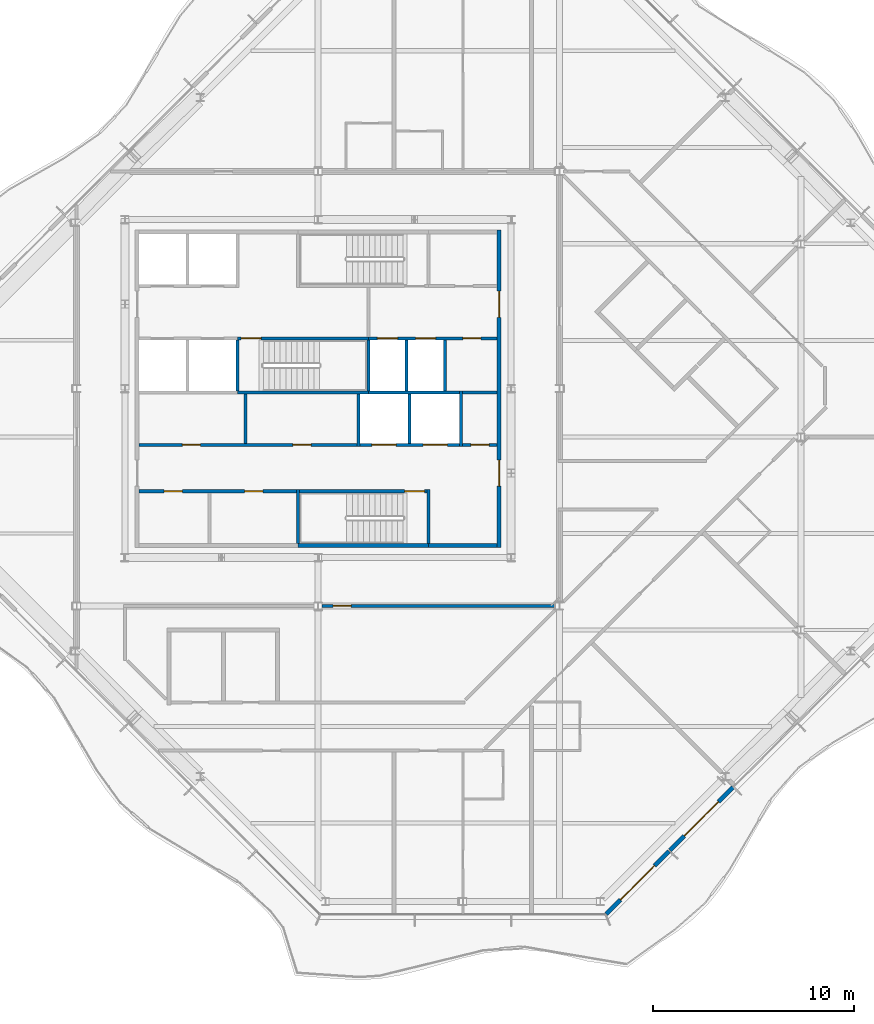
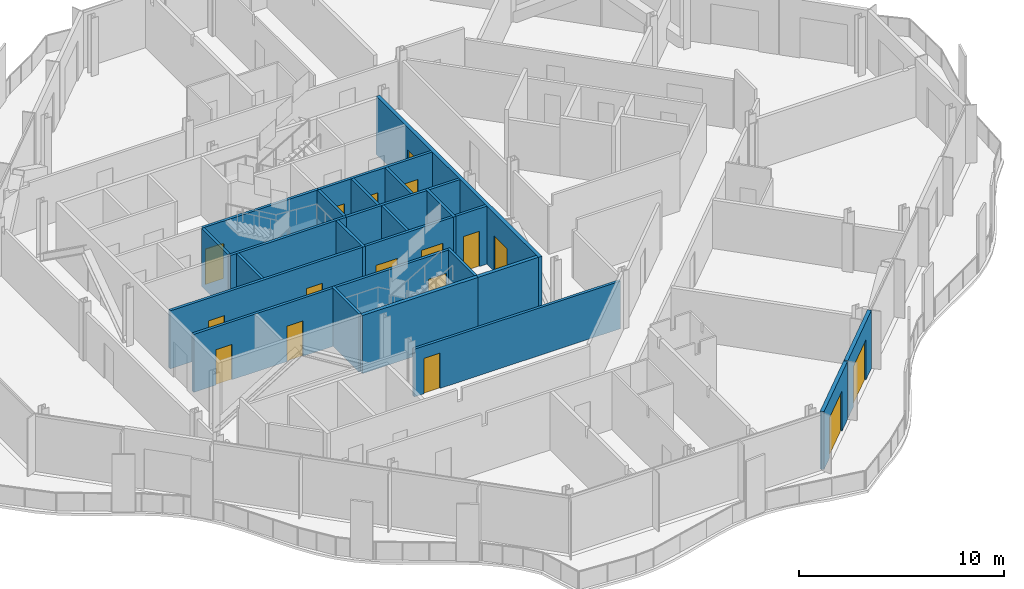
# One storey, part 8 of 16: 26 walls, 17 doors, 17 openings.
"""IFC4 building model written with IfcOpenShell, lengths in metres."""

import ifcopenshell
import ifcopenshell.guid

model = None  # the IFC model being written
_history = None  # IfcOwnerHistory: only IFC2X3 demands one
_inside = {}  # id of a spatial element -> (the spatial element, [elements in it])
_under = {}  # id of a project, library or spatial element -> (it, [spatial elements below it])
_declared = {}  # id of a project -> (the project, [libraries it declares])
_typed = {}  # id of a type object -> (the type object, [elements of that type])
_made_of = {}  # id of a material, layer set ... -> (it, [elements and type objects made of it])


def new_model(schema):
    """Start an empty IFC model of exactly this schema.

    Asked for "IFC4X3", IfcOpenShell would pick the latest addendum, in which some entities
    have other attributes; the version numbers below select the first issue.
    IFC2X3 requires an IfcOwnerHistory on every rooted entity: one is made here for all.
    """
    global model, _history
    if schema == "IFC4X3":
        model = ifcopenshell.file(schema_version=(4, 3, 0, 0))
    else:
        model = ifcopenshell.file(schema=schema)
    _inside.clear()
    _under.clear()
    _declared.clear()
    _typed.clear()
    _made_of.clear()
    _history = None
    if model.schema == "IFC2X3":
        org = make("IfcOrganization", Name="unknown")
        user = make(
            "IfcPersonAndOrganization",
            ThePerson=make("IfcPerson", FamilyName="unknown"),
            TheOrganization=org,
        )
        app = make(
            "IfcApplication",
            ApplicationDeveloper=org,
            Version="unknown",
            ApplicationFullName="unknown",
            ApplicationIdentifier="unknown",
        )
        _history = make(
            "IfcOwnerHistory",
            OwningUser=user,
            OwningApplication=app,
            ChangeAction="ADDED",
            CreationDate=0,
        )
    return model


def make(cls, **values):
    """One entity of the class cls with the attributes given. An attribute that is None is left unset."""
    return model.create_entity(
        cls, **{name: value for name, value in values.items() if value is not None}
    )


def rooted(cls, **values):
    """An entity with a GlobalId (a new one), such as an element, a storey or a relation."""
    return make(cls, GlobalId=ifcopenshell.guid.new(), OwnerHistory=_history, **values)


def si_unit(unit_type, name, prefix=None):
    """IfcSIUnit, for example si_unit("LENGTHUNIT", "METRE", prefix="MILLI")."""
    return make("IfcSIUnit", UnitType=unit_type, Prefix=prefix, Name=name)


def assignment(units):
    """IfcUnitAssignment: the units of a project."""
    return None if units is None else make("IfcUnitAssignment", Units=units)


def point(xyz):
    """IfcCartesianPoint."""
    return None if xyz is None else make("IfcCartesianPoint", Coordinates=xyz)


def direction(xyz):
    """IfcDirection."""
    return None if xyz is None else make("IfcDirection", DirectionRatios=xyz)


def frame(location, z_axis=None, x_axis=None):
    """IfcAxis2Placement3D, a coordinate frame: its origin and axes. An axis left out is left unset."""
    return make(
        "IfcAxis2Placement3D",
        Location=point(location),
        Axis=direction(z_axis),
        RefDirection=direction(x_axis),
    )


def frame_2d(location, x_axis=None):
    """IfcAxis2Placement2D, a coordinate frame in the plane: its origin and x axis."""
    return make(
        "IfcAxis2Placement2D", Location=point(location), RefDirection=direction(x_axis)
    )


def origin():
    """The frame at (0, 0, 0) with its axes left unset."""
    return frame((0.0, 0.0, 0.0))


def place(relative_to, where):
    """IfcLocalPlacement: puts the frame where relative to a parent placement (None: the world)."""
    return make(
        "IfcLocalPlacement", PlacementRelTo=relative_to, RelativePlacement=where
    )


def context(
    kind, dimensions, precision=None, world=None, true_north=None, identifier=None
):
    """IfcGeometricRepresentationContext, for example the 3D "Model" context."""
    return make(
        "IfcGeometricRepresentationContext",
        ContextIdentifier=identifier,
        ContextType=kind,
        CoordinateSpaceDimension=dimensions,
        Precision=precision,
        WorldCoordinateSystem=world,
        TrueNorth=true_north,
    )


def subcontext(parent, identifier, kind, view, scale=None):
    """IfcGeometricRepresentationSubContext, for example "Body" below "Model"."""
    return make(
        "IfcGeometricRepresentationSubContext",
        ContextIdentifier=identifier,
        ContextType=kind,
        ParentContext=parent,
        TargetScale=scale,
        TargetView=view,
    )


def project(units=None, contexts=None):
    """IfcProject with its units and contexts."""
    return rooted(
        "IfcProject",
        Name="project",
        RepresentationContexts=contexts,
        UnitsInContext=assignment(units),
    )


def spatial(cls, under=None, at=None, **own):
    """A site, building, storey or space (cls), placed at a placement, below another one or the project."""
    s = rooted(cls, ObjectPlacement=at, **own)
    if under is not None:
        _under.setdefault(under.id(), (under, []))[1].append(s)
    return s


def profile(cls, at=None, kind="AREA", **sizes):
    """A parametric profile (cls). Its sizes go by their IFC names, for example OverallWidth=200.0."""
    return make(cls, ProfileType=kind, Position=at, **sizes)


def rectangle(**sizes):
    """IfcRectangleProfileDef."""
    return profile("IfcRectangleProfileDef", **sizes)


def extrude(swept, where, along, depth):
    """IfcExtrudedAreaSolid: the profile swept, set in the frame where, extruded along a direction by depth."""
    return make(
        "IfcExtrudedAreaSolid",
        SweptArea=swept,
        Position=where,
        ExtrudedDirection=direction(along),
        Depth=depth,
    )


def shape(context_of_items, identifier, shape_type, items):
    """IfcShapeRepresentation: the items that make up one representation, for example the "Body"."""
    return make(
        "IfcShapeRepresentation",
        ContextOfItems=context_of_items,
        RepresentationIdentifier=identifier,
        RepresentationType=shape_type,
        Items=items,
    )


def material(Name=None, Category=None):
    """IfcMaterial."""
    return make("IfcMaterial", Name=Name, Category=Category)


def layer(
    of_material, thickness, ventilated=None, Name=None, Category=None, Priority=None
):
    """IfcMaterialLayer: one layer of a wall or slab, of a material (None: an air gap)."""
    return make(
        "IfcMaterialLayer",
        Material=of_material,
        LayerThickness=thickness,
        IsVentilated=ventilated,
        Name=Name,
        Category=Category,
        Priority=Priority,
    )


def layer_set(layers, Name=None):
    """IfcMaterialLayerSet."""
    return make("IfcMaterialLayerSet", MaterialLayers=layers, LayerSetName=Name)


def made_of(thing, what):
    """Note that an element or type object is made of a material, layer set ...; save() writes the relation."""
    if what is not None:
        _made_of.setdefault(what.id(), (what, []))[1].append(thing)
    return thing


def type_object(cls, material=None, **own):
    """A type object (cls), such as IfcWallType, which elements share."""
    return made_of(rooted(cls, **own), material)


def element(
    cls,
    number,
    at=None,
    inside=None,
    cuts=None,
    type_object=None,
    material=None,
    context=None,
    identifier="Body",
    shape_type=None,
    held_by="IfcProductDefinitionShape",
    body=None,
    shapes=None,
    **own,
):
    """One element of the class cls, such as IfcWall. Its Tag is "e" and its number.

    at: its placement. inside: the storey or other place that contains it. cuts: it is an
    opening in that element (IfcRelVoidsElement). A single representation is given by context,
    identifier, shape_type and body (its items); several are given by shapes. held_by: the class
    of the entity that holds the representations. save() writes the other relations.
    """
    e = rooted(cls, Tag="e%d" % number, ObjectPlacement=at, **own)
    if body is not None:
        shapes = [shape(context, identifier, shape_type, body)]
    if shapes is not None:
        e.Representation = make(held_by, Representations=shapes)
    if inside is not None:
        _inside.setdefault(inside.id(), (inside, []))[1].append(e)
    if cuts is not None:
        rooted(
            "IfcRelVoidsElement", RelatingBuildingElement=cuts, RelatedOpeningElement=e
        )
    if type_object is not None:
        _typed.setdefault(type_object.id(), (type_object, []))[1].append(e)
    return made_of(e, material)


def fill(opening, filler):
    """IfcRelFillsElement: the door or window that sits in an opening."""
    return rooted(
        "IfcRelFillsElement",
        RelatingOpeningElement=opening,
        RelatedBuildingElement=filler,
    )


def aggregate(whole, parts):
    """IfcRelAggregates: a whole, such as a stair, and the parts it consists of."""
    return rooted("IfcRelAggregates", RelatingObject=whole, RelatedObjects=parts)


def save(model, path):
    """Write the relations noted so far, then the file.

    IfcRelAggregates (storeys below a building ...), IfcRelContainedInSpatialStructure (elements
    in a storey), IfcRelDefinesByType, IfcRelAssociatesMaterial and IfcRelDeclares: one each for
    every whole, place, type object, material and project.
    """
    for whole, parts in _under.values():
        aggregate(whole, parts)
    for where, things in _inside.values():
        rooted(
            "IfcRelContainedInSpatialStructure",
            RelatedElements=things,
            RelatingStructure=where,
        )
    for kind, things in _typed.values():
        rooted("IfcRelDefinesByType", RelatedObjects=things, RelatingType=kind)
    for what, things in _made_of.values():
        rooted("IfcRelAssociatesMaterial", RelatedObjects=things, RelatingMaterial=what)
    for by, libraries in _declared.values():
        rooted("IfcRelDeclares", RelatingContext=by, RelatedDefinitions=libraries)
    model.write(path)


model = new_model("IFC4")

# Units and contexts
model_context = context("Model", 3, precision=1e-05, world=origin(), true_north=direction((0.0, 1.0)))
body_context = subcontext(model_context, "Body", "Model", "MODEL_VIEW")
ifc_project = project(units=[si_unit("LENGTHUNIT", "METRE"), si_unit("AREAUNIT", "SQUARE_METRE"), si_unit("VOLUMEUNIT", "CUBIC_METRE"), si_unit("PLANEANGLEUNIT", "RADIAN"), si_unit("MASSUNIT", "GRAM", prefix="KILO")], contexts=[model_context])

# Site, building, storey
site_placement = place(None, origin())
site = spatial("IfcSite", under=ifc_project, at=site_placement, CompositionType="ELEMENT")
building_placement = place(site_placement, origin())
building = spatial("IfcBuilding", under=site, at=building_placement, Name="Cairn Pilgrim Tower", CompositionType="ELEMENT")
storey_placement = place(building_placement, frame((0.0, 0.0, 285.0)))
storey = spatial("IfcBuildingStorey", under=building, at=storey_placement, Name="L73", CompositionType="ELEMENT", Elevation=285.0)

# Wall, opening, door
ifc_material_1 = material(Name="Bronze anodised aluminium insulated sandwich panel with mineral wool fill", Category="aluminium")
ifc_layer_1 = layer(ifc_material_1, 0.199951171875)
ifc_layer_set_1 = layer_set([ifc_layer_1], Name="BRONZE INFILL FRAME WALL 200")
wall_type_1 = type_object("IfcWallType", Name="BRONZE INFILL FRAME WALL 200", PredefinedType="NOTDEFINED", material=ifc_layer_set_1)
wall_1_placement = place(storey_placement, frame((21.524658203125, -23.7216796875, 0.0), z_axis=(0.0, 0.0, 1.0), x_axis=(0.707134392299, 0.707079168996, 0.0)))
wall_1 = element("IfcWall", 1, at=wall_1_placement, inside=storey, type_object=wall_type_1, Name="Bronze infill frame wall IW-SE1", PredefinedType="NOTDEFINED", context=body_context, shape_type="SweptSolid", body=[
    extrude(rectangle(XDim=4.4208984375, YDim=0.199951171875, at=frame_2d((2.21044921875, 0.0))), origin(), (0.0, 0.0, 1.0), 3.449951171875),
])
opening_1_placement = place(wall_1_placement, frame((1.00537109375, 0.0, 0.0)))
opening_1 = element("IfcOpeningElement", 2, at=opening_1_placement, cuts=wall_1, Name="Opening 7302B2", PredefinedType="OPENING", context=body_context, shape_type="SweptSolid", body=[
    extrude(rectangle(XDim=2.39990234375, YDim=2.39990234375, at=frame_2d((1.199951171875, 1.199951171875))), frame((0.0, 0.10986328125, 0.0), z_axis=(0.0, -1.0, 0.0), x_axis=(1.0, 0.0, 0.0)), (0.0, 0.0, 1.0), 0.219970703125),
])
ifc_material_2 = material(Name="Bronze anodised aluminium frame with tinted low-E glass", Category="aluminium")
door_type_1 = type_object("IfcDoorType", Name="BALCONY SLIDING DOOR 2400x2400", OperationType="DOUBLE_DOOR_SLIDING", PredefinedType="DOOR", material=ifc_material_2)
door_1_placement = place(opening_1_placement, origin())
door_1 = element("IfcDoor", 3, at=door_1_placement, inside=storey, type_object=door_type_1, Name="Balcony sliding door 7302B2", OperationType="SINGLE_SWING_LEFT", OverallHeight=2.39990234375, OverallWidth=2.39990234375, PredefinedType="DOOR", context=body_context, shape_type="SweptSolid", body=[
    extrude(rectangle(XDim=2.39990234375, YDim=2.39990234375, at=frame_2d((1.199951171875, 1.199951171875))), frame((0.0, 0.02490234375, 0.0), z_axis=(0.0, -1.0, 0.0), x_axis=(1.0, 0.0, 0.0)), (0.0, 0.0, 1.0), 0.050048828125),
])
fill(opening_1, door_1)

wall_2_placement = place(storey_placement, frame((24.693359375, -20.55322265625, 0.0), z_axis=(0.0, 0.0, 1.0), x_axis=(0.707079231393, 0.707134329907, 0.0)))
wall_2 = element("IfcWall", 4, at=wall_2_placement, inside=storey, type_object=wall_type_1, Name="Bronze infill frame wall IW-SE2", PredefinedType="NOTDEFINED", context=body_context, shape_type="SweptSolid", body=[
    extrude(rectangle(XDim=4.430908203125, YDim=0.199951171875, at=frame_2d((2.21533203125, 0.0))), origin(), (0.0, 0.0, 1.0), 3.449951171875),
])
opening_2_placement = place(wall_2_placement, frame((1.015380859375, 0.0, 0.0)))
opening_2 = element("IfcOpeningElement", 5, at=opening_2_placement, cuts=wall_2, Name="Opening 7302B", PredefinedType="OPENING", context=body_context, shape_type="SweptSolid", body=[
    extrude(rectangle(XDim=2.39990234375, YDim=2.39990234375, at=frame_2d((1.199951171875, 1.199951171875))), frame((0.0, 0.10986328125, 0.0), z_axis=(0.0, -1.0, 0.0), x_axis=(1.0, 0.0, 0.0)), (0.0, 0.0, 1.0), 0.219970703125),
])
door_2_placement = place(opening_2_placement, origin())
door_2 = element("IfcDoor", 6, at=door_2_placement, inside=storey, type_object=door_type_1, Name="Balcony sliding door 7302B", OperationType="SINGLE_SWING_LEFT", OverallHeight=2.39990234375, OverallWidth=2.39990234375, PredefinedType="DOOR", context=body_context, shape_type="SweptSolid", body=[
    extrude(rectangle(XDim=2.39990234375, YDim=2.39990234375, at=frame_2d((1.199951171875, 1.199951171875))), frame((0.0, 0.02490234375, 0.0), z_axis=(0.0, -1.0, 0.0), x_axis=(1.0, 0.0, 0.0)), (0.0, 0.0, 1.0), 0.050048828125),
])
fill(opening_2, door_2)

# Wall
ifc_material_3 = material(Name="Concrete C32/40", Category="concrete")
ifc_layer_2 = layer(ifc_material_3, 0.199951171875)
ifc_layer_set_2 = layer_set([ifc_layer_2], Name="CORE OUTER WALL 200 EI 120")
wall_type_2 = type_object("IfcWallType", Name="CORE OUTER WALL 200 EI 120", PredefinedType="SOLIDWALL", material=ifc_layer_set_2)
wall_3_placement = place(storey_placement, frame((12.699951171875, -5.39990234375, 0.0), z_axis=(0.0, 0.0, 1.0), x_axis=(1.0, 0.0, 0.0)))
element("IfcWall", 7, at=wall_3_placement, inside=storey, type_object=wall_type_2, Name="CW:L73:H01-3", PredefinedType="SOLIDWALL", context=body_context, shape_type="SweptSolid", body=[
    extrude(rectangle(XDim=3.400146484375, YDim=0.199951171875, at=frame_2d((1.7001953125, 0.0))), origin(), (0.0, 0.0, 1.0), 3.449951171875),
])

# Wall, openings, doors
wall_4_placement = place(storey_placement, frame((16.199951171875, -5.5, 0.0), z_axis=(0.0, 0.0, 1.0), x_axis=(0.0, 1.0, 0.0)))
wall_4 = element("IfcWall", 8, at=wall_4_placement, inside=storey, type_object=wall_type_2, Name="CW:L73:V31", PredefinedType="SOLIDWALL", context=body_context, shape_type="SweptSolid", body=[
    extrude(rectangle(XDim=15.800048828125, YDim=0.199951171875, at=frame_2d((7.89990234375, 0.0))), origin(), (0.0, 0.0, 1.0), 3.449951171875),
])
opening_3_placement = place(wall_4_placement, frame((3.050048828125, 0.0, 0.0)))
opening_3 = element("IfcOpeningElement", 9, at=opening_3_placement, cuts=wall_4, Name="Opening CD-E1", PredefinedType="OPENING", context=body_context, shape_type="SweptSolid", body=[
    extrude(rectangle(XDim=1.300048828125, YDim=2.10009765625, at=frame_2d((0.64990234375, 1.050048828125))), frame((0.0, 0.10986328125, 0.0), z_axis=(0.0, -1.0, 0.0), x_axis=(1.0, 0.0, 0.0)), (0.0, 0.0, 1.0), 0.219970703125),
])
opening_4_placement = place(wall_4_placement, frame((11.449951171875, 0.0, 0.0)))
opening_4 = element("IfcOpeningElement", 10, at=opening_4_placement, cuts=wall_4, Name="Opening CD-E2", PredefinedType="OPENING", context=body_context, shape_type="SweptSolid", body=[
    extrude(rectangle(XDim=1.300048828125, YDim=2.10009765625, at=frame_2d((0.64990234375, 1.050048828125))), frame((0.0, 0.10986328125, 0.0), z_axis=(0.0, -1.0, 0.0), x_axis=(1.0, 0.0, 0.0)), (0.0, 0.0, 1.0), 0.219970703125),
])
ifc_material_4 = material(Name="Painted steel", Category="steel")
door_type_2 = type_object("IfcDoorType", Name="CORE LOBBY DOOR 1300x2100", OperationType="DOUBLE_DOOR_SINGLE_SWING", PredefinedType="DOOR", material=ifc_material_4)
door_3_placement = place(opening_3_placement, origin())
door_3 = element("IfcDoor", 11, at=door_3_placement, inside=storey, type_object=door_type_2, Name="CD-E1", OperationType="DOUBLE_DOOR_SINGLE_SWING", OverallHeight=2.10009765625, OverallWidth=1.300048828125, PredefinedType="DOOR", context=body_context, shape_type="SweptSolid", body=[
    extrude(rectangle(XDim=1.300048828125, YDim=2.10009765625, at=frame_2d((0.64990234375, 1.050048828125))), frame((0.0, 0.02490234375, 0.0), z_axis=(0.0, -1.0, 0.0), x_axis=(1.0, 0.0, 0.0)), (0.0, 0.0, 1.0), 0.050048828125),
])
fill(opening_3, door_3)
door_4_placement = place(opening_4_placement, origin())
door_4 = element("IfcDoor", 12, at=door_4_placement, inside=storey, type_object=door_type_2, Name="CD-E2", OperationType="DOUBLE_DOOR_SINGLE_SWING", OverallHeight=2.10009765625, OverallWidth=1.300048828125, PredefinedType="DOOR", context=body_context, shape_type="SweptSolid", body=[
    extrude(rectangle(XDim=1.300048828125, YDim=2.10009765625, at=frame_2d((0.64990234375, 1.050048828125))), frame((0.0, 0.02490234375, 0.0), z_axis=(0.0, -1.0, 0.0), x_axis=(1.0, 0.0, 0.0)), (0.0, 0.0, 1.0), 0.050048828125),
])
fill(opening_4, door_4)

ifc_layer_3 = layer(ifc_material_3, 0.14990234375)
ifc_layer_set_3 = layer_set([ifc_layer_3], Name="CORE PARTITION 150 EI 60")
wall_type_3 = type_object("IfcWallType", Name="CORE PARTITION 150 EI 60", PredefinedType="PARTITIONING", material=ifc_layer_set_3)
wall_5_placement = place(storey_placement, frame((-1.699951171875, -2.699951171875, 0.0), z_axis=(0.0, 0.0, 1.0), x_axis=(1.0, 0.0, 0.0)))
wall_5 = element("IfcWall", 13, at=wall_5_placement, inside=storey, type_object=wall_type_3, Name="CW:L73:H02", PredefinedType="PARTITIONING", context=body_context, shape_type="SweptSolid", body=[
    extrude(rectangle(XDim=7.824951171875, YDim=0.14990234375, at=frame_2d((3.91259765625, 0.0))), origin(), (0.0, 0.0, 1.0), 3.449951171875),
])
opening_5_placement = place(wall_5_placement, frame((1.25, 0.0, 0.0)))
opening_5 = element("IfcOpeningElement", 14, at=opening_5_placement, cuts=wall_5, Name="Opening RD-R1W1", PredefinedType="OPENING", context=body_context, shape_type="SweptSolid", body=[
    extrude(rectangle(XDim=0.89990234375, YDim=2.10009765625, at=frame_2d((0.449951171875, 1.050048828125))), frame((0.0, 0.0849609375, 0.0), z_axis=(0.0, -1.0, 0.0), x_axis=(1.0, 0.0, 0.0)), (0.0, 0.0, 1.0), 0.169921875),
])
opening_6_placement = place(wall_5_placement, frame((5.25, 0.0, 0.0)))
opening_6 = element("IfcOpeningElement", 15, at=opening_6_placement, cuts=wall_5, Name="Opening RD-R1W2", PredefinedType="OPENING", context=body_context, shape_type="SweptSolid", body=[
    extrude(rectangle(XDim=0.89990234375, YDim=2.10009765625, at=frame_2d((0.449951171875, 1.050048828125))), frame((0.0, 0.0849609375, 0.0), z_axis=(0.0, -1.0, 0.0), x_axis=(1.0, 0.0, 0.0)), (0.0, 0.0, 1.0), 0.169921875),
])
door_type_3 = type_object("IfcDoorType", Name="SERVICE ROOM DOOR 900x2100", OperationType="SINGLE_SWING_LEFT", PredefinedType="DOOR", material=ifc_material_4)
door_5_placement = place(opening_5_placement, origin())
door_5 = element("IfcDoor", 16, at=door_5_placement, inside=storey, type_object=door_type_3, Name="RD-R1W1", OperationType="SINGLE_SWING_LEFT", OverallHeight=2.10009765625, OverallWidth=0.89990234375, PredefinedType="DOOR", context=body_context, shape_type="SweptSolid", body=[
    extrude(rectangle(XDim=0.89990234375, YDim=2.10009765625, at=frame_2d((0.449951171875, 1.050048828125))), frame((0.0, 0.02490234375, 0.0), z_axis=(0.0, -1.0, 0.0), x_axis=(1.0, 0.0, 0.0)), (0.0, 0.0, 1.0), 0.050048828125),
])
fill(opening_5, door_5)
door_6_placement = place(opening_6_placement, origin())
door_6 = element("IfcDoor", 17, at=door_6_placement, inside=storey, type_object=door_type_3, Name="RD-R1W2", OperationType="SINGLE_SWING_RIGHT", OverallHeight=2.10009765625, OverallWidth=0.89990234375, PredefinedType="DOOR", context=body_context, shape_type="SweptSolid", body=[
    extrude(rectangle(XDim=0.89990234375, YDim=2.10009765625, at=frame_2d((0.449951171875, 1.050048828125))), frame((0.0, 0.02490234375, 0.0), z_axis=(0.0, -1.0, 0.0), x_axis=(1.0, 0.0, 0.0)), (0.0, 0.0, 1.0), 0.050048828125),
])
fill(opening_6, door_6)

wall_6_placement = place(storey_placement, frame((-1.699951171875, -0.39990234375, 0.0), z_axis=(0.0, 0.0, 1.0), x_axis=(1.0, 0.0, 0.0)))
wall_6 = element("IfcWall", 18, at=wall_6_placement, inside=storey, type_object=wall_type_3, Name="CW:L73:H04", PredefinedType="PARTITIONING", context=body_context, shape_type="SweptSolid", body=[
    extrude(rectangle(XDim=10.824951171875, YDim=0.14990234375, at=frame_2d((5.41259765625, 0.0))), origin(), (0.0, 0.0, 1.0), 3.449951171875),
])
opening_7_placement = place(wall_6_placement, frame((2.14990234375, 0.0, 0.0)))
opening_7 = element("IfcOpeningElement", 19, at=opening_7_placement, cuts=wall_6, Name="Opening RD-R2W1", PredefinedType="OPENING", context=body_context, shape_type="SweptSolid", body=[
    extrude(rectangle(XDim=0.89990234375, YDim=2.10009765625, at=frame_2d((0.449951171875, 1.050048828125))), frame((0.0, 0.0849609375, 0.0), z_axis=(0.0, -1.0, 0.0), x_axis=(1.0, 0.0, 0.0)), (0.0, 0.0, 1.0), 0.169921875),
])
opening_8_placement = place(wall_6_placement, frame((7.64990234375, 0.0, 0.0)))
opening_8 = element("IfcOpeningElement", 20, at=opening_8_placement, cuts=wall_6, Name="Opening RD-R2W2", PredefinedType="OPENING", context=body_context, shape_type="SweptSolid", body=[
    extrude(rectangle(XDim=0.89990234375, YDim=2.10009765625, at=frame_2d((0.449951171875, 1.050048828125))), frame((0.0, 0.0849609375, 0.0), z_axis=(0.0, -1.0, 0.0), x_axis=(1.0, 0.0, 0.0)), (0.0, 0.0, 1.0), 0.169921875),
])
door_7_placement = place(opening_7_placement, origin())
door_7 = element("IfcDoor", 21, at=door_7_placement, inside=storey, type_object=door_type_3, Name="RD-R2W1", OperationType="SINGLE_SWING_LEFT", OverallHeight=2.10009765625, OverallWidth=0.89990234375, PredefinedType="DOOR", context=body_context, shape_type="SweptSolid", body=[
    extrude(rectangle(XDim=0.89990234375, YDim=2.10009765625, at=frame_2d((0.449951171875, 1.050048828125))), frame((0.0, 0.02490234375, 0.0), z_axis=(0.0, -1.0, 0.0), x_axis=(1.0, 0.0, 0.0)), (0.0, 0.0, 1.0), 0.050048828125),
])
fill(opening_7, door_7)
door_8_placement = place(opening_8_placement, origin())
door_8 = element("IfcDoor", 22, at=door_8_placement, inside=storey, type_object=door_type_3, Name="RD-R2W2", OperationType="SINGLE_SWING_RIGHT", OverallHeight=2.10009765625, OverallWidth=0.89990234375, PredefinedType="DOOR", context=body_context, shape_type="SweptSolid", body=[
    extrude(rectangle(XDim=0.89990234375, YDim=2.10009765625, at=frame_2d((0.449951171875, 1.050048828125))), frame((0.0, 0.02490234375, 0.0), z_axis=(0.0, -1.0, 0.0), x_axis=(1.0, 0.0, 0.0)), (0.0, 0.0, 1.0), 0.050048828125),
])
fill(opening_8, door_8)

# Wall, opening, door
wall_7_placement = place(storey_placement, frame((14.375, -0.39990234375, 0.0), z_axis=(0.0, 0.0, 1.0), x_axis=(1.0, 0.0, 0.0)))
wall_7 = element("IfcWall", 23, at=wall_7_placement, inside=storey, type_object=wall_type_3, Name="CW:L73:H06", PredefinedType="PARTITIONING", context=body_context, shape_type="SweptSolid", body=[
    extrude(rectangle(XDim=1.72509765625, YDim=0.14990234375, at=frame_2d((0.862548828125, 0.0))), origin(), (0.0, 0.0, 1.0), 3.449951171875),
])
opening_9_placement = place(wall_7_placement, frame((0.425048828125, 0.0, 0.0)))
opening_9 = element("IfcOpeningElement", 24, at=opening_9_placement, cuts=wall_7, Name="Opening RD-R2E", PredefinedType="OPENING", context=body_context, shape_type="SweptSolid", body=[
    extrude(rectangle(XDim=0.89990234375, YDim=2.10009765625, at=frame_2d((0.449951171875, 1.050048828125))), frame((0.0, 0.0849609375, 0.0), z_axis=(0.0, -1.0, 0.0), x_axis=(1.0, 0.0, 0.0)), (0.0, 0.0, 1.0), 0.169921875),
])
door_9_placement = place(opening_9_placement, origin())
door_9 = element("IfcDoor", 25, at=door_9_placement, inside=storey, type_object=door_type_3, Name="RD-R2E", OperationType="SINGLE_SWING_RIGHT", OverallHeight=2.10009765625, OverallWidth=0.89990234375, PredefinedType="DOOR", context=body_context, shape_type="SweptSolid", body=[
    extrude(rectangle(XDim=0.89990234375, YDim=2.10009765625, at=frame_2d((0.449951171875, 1.050048828125))), frame((0.0, 0.02490234375, 0.0), z_axis=(0.0, -1.0, 0.0), x_axis=(1.0, 0.0, 0.0)), (0.0, 0.0, 1.0), 0.050048828125),
])
fill(opening_9, door_9)

# Walls
wall_8_placement = place(storey_placement, frame((14.375, 2.199951171875, 0.0), z_axis=(0.0, 0.0, 1.0), x_axis=(1.0, 0.0, 0.0)))
element("IfcWall", 26, at=wall_8_placement, inside=storey, type_object=wall_type_3, Name="CW:L73:H08", PredefinedType="PARTITIONING", context=body_context, shape_type="SweptSolid", body=[
    extrude(rectangle(XDim=1.72509765625, YDim=0.14990234375, at=frame_2d((0.862548828125, 0.0))), origin(), (0.0, 0.0, 1.0), 3.449951171875),
])
wall_9_placement = place(storey_placement, frame((3.60009765625, -0.324951171875, 0.0), z_axis=(0.0, 0.0, 1.0), x_axis=(0.0, 1.0, 0.0)))
element("IfcWall", 27, at=wall_9_placement, inside=storey, type_object=wall_type_3, Name="CW:L73:V19", PredefinedType="PARTITIONING", context=body_context, shape_type="SweptSolid", body=[
    extrude(rectangle(XDim=2.449951171875, YDim=0.14990234375, at=frame_2d((1.22509765625, 0.0))), origin(), (0.0, 0.0, 1.0), 3.449951171875),
])

# Wall, openings, doors
ifc_layer_4 = layer(ifc_material_3, 0.14990234375)
ifc_layer_set_4 = layer_set([ifc_layer_4], Name="CORE SHAFT WALL 150 EI 120")
wall_type_4 = type_object("IfcWallType", Name="CORE SHAFT WALL 150 EI 120", PredefinedType="SOLIDWALL", material=ifc_layer_set_4)
wall_10_placement = place(storey_placement, frame((9.27490234375, -0.39990234375, 0.0), z_axis=(0.0, 0.0, 1.0), x_axis=(1.0, 0.0, 0.0)))
wall_10 = element("IfcWall", 28, at=wall_10_placement, inside=storey, type_object=wall_type_4, Name="CW:L73:H05", PredefinedType="SOLIDWALL", context=body_context, shape_type="SweptSolid", body=[
    extrude(rectangle(XDim=4.9501953125, YDim=0.14990234375, at=frame_2d((2.47509765625, 0.0))), origin(), (0.0, 0.0, 1.0), 3.449951171875),
])
opening_10_placement = place(wall_10_placement, frame((0.60009765625, 0.0, 0.0)))
opening_10 = element("IfcOpeningElement", 29, at=opening_10_placement, cuts=wall_10, Name="Opening LD-SV1", PredefinedType="OPENING", context=body_context, shape_type="SweptSolid", body=[
    extrude(rectangle(XDim=1.199951171875, YDim=2.10009765625, at=frame_2d((0.60009765625, 1.050048828125))), frame((0.0, 0.0849609375, 0.0), z_axis=(0.0, -1.0, 0.0), x_axis=(1.0, 0.0, 0.0)), (0.0, 0.0, 1.0), 0.169921875),
])
opening_11_placement = place(wall_10_placement, frame((3.14990234375, 0.0, 0.0)))
opening_11 = element("IfcOpeningElement", 30, at=opening_11_placement, cuts=wall_10, Name="Opening LD-SV2", PredefinedType="OPENING", context=body_context, shape_type="SweptSolid", body=[
    extrude(rectangle(XDim=1.199951171875, YDim=2.10009765625, at=frame_2d((0.60009765625, 1.050048828125))), frame((0.0, 0.0849609375, 0.0), z_axis=(0.0, -1.0, 0.0), x_axis=(1.0, 0.0, 0.0)), (0.0, 0.0, 1.0), 0.169921875),
])
ifc_material_5 = material(Name="Stainless steel", Category="steel")
door_type_4 = type_object("IfcDoorType", Name="LIFT LANDING DOOR 1200x2100", OperationType="DOUBLE_DOOR_SLIDING", PredefinedType="DOOR", material=ifc_material_5)
door_10_placement = place(opening_10_placement, origin())
door_10 = element("IfcDoor", 31, at=door_10_placement, inside=storey, type_object=door_type_4, Name="LANDING DOOR SV1", OperationType="DOUBLE_DOOR_SLIDING", OverallHeight=2.10009765625, OverallWidth=1.199951171875, PredefinedType="DOOR", context=body_context, shape_type="SweptSolid", body=[
    extrude(rectangle(XDim=1.199951171875, YDim=2.10009765625, at=frame_2d((0.60009765625, 1.050048828125))), frame((0.0, 0.02490234375, 0.0), z_axis=(0.0, -1.0, 0.0), x_axis=(1.0, 0.0, 0.0)), (0.0, 0.0, 1.0), 0.050048828125),
])
fill(opening_10, door_10)
door_11_placement = place(opening_11_placement, origin())
door_11 = element("IfcDoor", 32, at=door_11_placement, inside=storey, type_object=door_type_4, Name="LANDING DOOR SV2", OperationType="DOUBLE_DOOR_SLIDING", OverallHeight=2.10009765625, OverallWidth=1.199951171875, PredefinedType="DOOR", context=body_context, shape_type="SweptSolid", body=[
    extrude(rectangle(XDim=1.199951171875, YDim=2.10009765625, at=frame_2d((0.60009765625, 1.050048828125))), frame((0.0, 0.02490234375, 0.0), z_axis=(0.0, -1.0, 0.0), x_axis=(1.0, 0.0, 0.0)), (0.0, 0.0, 1.0), 0.050048828125),
])
fill(opening_11, door_11)

# Wall
wall_11_placement = place(storey_placement, frame((9.699951171875, 2.199951171875, 0.0), z_axis=(0.0, 0.0, 1.0), x_axis=(1.0, 0.0, 0.0)))
element("IfcWall", 33, at=wall_11_placement, inside=storey, type_object=wall_type_4, Name="CW:L73:H07-3", PredefinedType="SOLIDWALL", context=body_context, shape_type="SweptSolid", body=[
    extrude(rectangle(XDim=4.525146484375, YDim=0.14990234375, at=frame_2d((2.2626953125, 0.0))), origin(), (0.0, 0.0, 1.0), 3.449951171875),
])

# Wall, openings, doors
wall_12_placement = place(storey_placement, frame((9.699951171875, 4.89990234375, 0.0), z_axis=(0.0, 0.0, 1.0), x_axis=(1.0, 0.0, 0.0)))
wall_12 = element("IfcWall", 34, at=wall_12_placement, inside=storey, type_object=wall_type_4, Name="CW:L73:H09-3", PredefinedType="SOLIDWALL", context=body_context, shape_type="SweptSolid", body=[
    extrude(rectangle(XDim=6.400146484375, YDim=0.14990234375, at=frame_2d((3.2001953125, 0.0))), origin(), (0.0, 0.0, 1.0), 3.449951171875),
])
opening_12_placement = place(wall_12_placement, frame((0.449951171875, 0.0, 0.0)))
opening_12 = element("IfcOpeningElement", 35, at=opening_12_placement, cuts=wall_12, Name="Opening LD-FF1", PredefinedType="OPENING", context=body_context, shape_type="SweptSolid", body=[
    extrude(rectangle(XDim=1.0, YDim=2.10009765625, at=frame_2d((0.5, 1.050048828125))), frame((0.0, 0.0849609375, 0.0), z_axis=(0.0, -1.0, 0.0), x_axis=(1.0, 0.0, 0.0)), (0.0, 0.0, 1.0), 0.169921875),
])
opening_13_placement = place(wall_12_placement, frame((2.35009765625, 0.0, 0.0)))
opening_13 = element("IfcOpeningElement", 36, at=opening_13_placement, cuts=wall_12, Name="Opening LD-FF2", PredefinedType="OPENING", context=body_context, shape_type="SweptSolid", body=[
    extrude(rectangle(XDim=1.0, YDim=2.10009765625, at=frame_2d((0.5, 1.050048828125))), frame((0.0, 0.0849609375, 0.0), z_axis=(0.0, -1.0, 0.0), x_axis=(1.0, 0.0, 0.0)), (0.0, 0.0, 1.0), 0.169921875),
])
opening_14_placement = place(wall_12_placement, frame((4.699951171875, 0.0, 0.0)))
opening_14 = element("IfcOpeningElement", 37, at=opening_14_placement, cuts=wall_12, Name="Opening RD-R3E", PredefinedType="OPENING", context=body_context, shape_type="SweptSolid", body=[
    extrude(rectangle(XDim=0.89990234375, YDim=2.10009765625, at=frame_2d((0.449951171875, 1.050048828125))), frame((0.0, 0.0849609375, 0.0), z_axis=(0.0, -1.0, 0.0), x_axis=(1.0, 0.0, 0.0)), (0.0, 0.0, 1.0), 0.169921875),
])
door_type_5 = type_object("IfcDoorType", Name="LIFT LANDING DOOR FIRE 1000x2100", OperationType="DOUBLE_DOOR_SLIDING", PredefinedType="DOOR", material=ifc_material_5)
door_12_placement = place(opening_12_placement, origin())
door_12 = element("IfcDoor", 38, at=door_12_placement, inside=storey, type_object=door_type_5, Name="LANDING DOOR FF1", OperationType="DOUBLE_DOOR_SLIDING", OverallHeight=2.10009765625, OverallWidth=1.0, PredefinedType="DOOR", context=body_context, shape_type="SweptSolid", body=[
    extrude(rectangle(XDim=1.0, YDim=2.10009765625, at=frame_2d((0.5, 1.050048828125))), frame((0.0, 0.02490234375, 0.0), z_axis=(0.0, -1.0, 0.0), x_axis=(1.0, 0.0, 0.0)), (0.0, 0.0, 1.0), 0.050048828125),
])
fill(opening_12, door_12)
door_13_placement = place(opening_13_placement, origin())
door_13 = element("IfcDoor", 39, at=door_13_placement, inside=storey, type_object=door_type_5, Name="LANDING DOOR FF2", OperationType="DOUBLE_DOOR_SLIDING", OverallHeight=2.10009765625, OverallWidth=1.0, PredefinedType="DOOR", context=body_context, shape_type="SweptSolid", body=[
    extrude(rectangle(XDim=1.0, YDim=2.10009765625, at=frame_2d((0.5, 1.050048828125))), frame((0.0, 0.02490234375, 0.0), z_axis=(0.0, -1.0, 0.0), x_axis=(1.0, 0.0, 0.0)), (0.0, 0.0, 1.0), 0.050048828125),
])
fill(opening_13, door_13)
door_14_placement = place(opening_14_placement, origin())
door_14 = element("IfcDoor", 40, at=door_14_placement, inside=storey, type_object=door_type_3, Name="RD-R3E", OperationType="SINGLE_SWING_LEFT", OverallHeight=2.10009765625, OverallWidth=0.89990234375, PredefinedType="DOOR", context=body_context, shape_type="SweptSolid", body=[
    extrude(rectangle(XDim=0.89990234375, YDim=2.10009765625, at=frame_2d((0.449951171875, 1.050048828125))), frame((0.0, 0.02490234375, 0.0), z_axis=(0.0, -1.0, 0.0), x_axis=(1.0, 0.0, 0.0)), (0.0, 0.0, 1.0), 0.050048828125),
])
fill(opening_14, door_14)

# Walls
wall_13_placement = place(storey_placement, frame((9.199951171875, -0.47509765625, 0.0), z_axis=(0.0, 0.0, 1.0), x_axis=(0.0, 1.0, 0.0)))
element("IfcWall", 41, at=wall_13_placement, inside=storey, type_object=wall_type_4, Name="CW:L73:V22", PredefinedType="SOLIDWALL", context=body_context, shape_type="SweptSolid", body=[
    extrude(rectangle(XDim=2.60009765625, YDim=0.14990234375, at=frame_2d((1.300048828125, 0.0))), origin(), (0.0, 0.0, 1.0), 3.449951171875),
])
wall_14_placement = place(storey_placement, frame((11.60009765625, 2.27490234375, 0.0), z_axis=(0.0, 0.0, 1.0), x_axis=(0.0, 1.0, 0.0)))
element("IfcWall", 42, at=wall_14_placement, inside=storey, type_object=wall_type_4, Name="CW:L73:V25", PredefinedType="SOLIDWALL", context=body_context, shape_type="SweptSolid", body=[
    extrude(rectangle(XDim=2.550048828125, YDim=0.14990234375, at=frame_2d((1.27490234375, 0.0))), origin(), (0.0, 0.0, 1.0), 3.449951171875),
])
wall_15_placement = place(storey_placement, frame((11.75, -0.324951171875, 0.0), z_axis=(0.0, 0.0, 1.0), x_axis=(0.0, 1.0, 0.0)))
element("IfcWall", 43, at=wall_15_placement, inside=storey, type_object=wall_type_4, Name="CW:L73:V26", PredefinedType="SOLIDWALL", context=body_context, shape_type="SweptSolid", body=[
    extrude(rectangle(XDim=2.449951171875, YDim=0.14990234375, at=frame_2d((1.22509765625, 0.0))), origin(), (0.0, 0.0, 1.0), 3.449951171875),
])
wall_16_placement = place(storey_placement, frame((13.5, 2.27490234375, 0.0), z_axis=(0.0, 0.0, 1.0), x_axis=(0.0, 1.0, 0.0)))
element("IfcWall", 44, at=wall_16_placement, inside=storey, type_object=wall_type_4, Name="CW:L73:V29", PredefinedType="SOLIDWALL", context=body_context, shape_type="SweptSolid", body=[
    extrude(rectangle(XDim=2.550048828125, YDim=0.14990234375, at=frame_2d((1.27490234375, 0.0))), origin(), (0.0, 0.0, 1.0), 3.449951171875),
])
wall_17_placement = place(storey_placement, frame((14.300048828125, -0.47509765625, 0.0), z_axis=(0.0, 0.0, 1.0), x_axis=(0.0, 1.0, 0.0)))
element("IfcWall", 45, at=wall_17_placement, inside=storey, type_object=wall_type_4, Name="CW:L73:V30", PredefinedType="SOLIDWALL", context=body_context, shape_type="SweptSolid", body=[
    extrude(rectangle(XDim=2.75, YDim=0.14990234375, at=frame_2d((1.375, 0.0))), origin(), (0.0, 0.0, 1.0), 3.449951171875),
])

# Wall, opening, door
ifc_material_6 = material(Name="Gypsum partition")
ifc_layer_5 = layer(ifc_material_6, 0.14990234375)
ifc_layer_set_5 = layer_set([ifc_layer_5], Name="PARTITION 150 DRYWALL EI 60")
wall_type_5 = type_object("IfcWallType", Name="PARTITION 150 DRYWALL EI 60", PredefinedType="PARTITIONING", material=ifc_layer_set_5)
wall_18_placement = place(storey_placement, frame((7.39697265625, -8.39990234375, 0.0), z_axis=(0.0, 0.0, 1.0), x_axis=(1.0, 0.0, 0.0)))
wall_18 = element("IfcWall", 46, at=wall_18_placement, inside=storey, type_object=wall_type_5, Name="PARTITION W028", PredefinedType="PARTITIONING", context=body_context, shape_type="SweptSolid", body=[
    extrude(rectangle(XDim=11.60595703125, YDim=0.14990234375, at=frame_2d((5.802978515625, 0.0))), origin(), (0.0, 0.0, 1.0), 2.830078125),
])
opening_15_placement = place(wall_18_placement, frame((0.552978515625, 0.0, 0.0)))
opening_15 = element("IfcOpeningElement", 47, at=opening_15_placement, cuts=wall_18, Name="Opening 7317", PredefinedType="OPENING", context=body_context, shape_type="SweptSolid", body=[
    extrude(rectangle(XDim=0.89990234375, YDim=2.10009765625, at=frame_2d((0.449951171875, 1.050048828125))), frame((0.0, 0.0849609375, 0.0), z_axis=(0.0, -1.0, 0.0), x_axis=(1.0, 0.0, 0.0)), (0.0, 0.0, 1.0), 0.169921875),
])
ifc_material_7 = material(Name="Timber door leaf", Category="wood")
door_type_6 = type_object("IfcDoorType", Name="SERVICE DOOR 900x2100 FD30S", OperationType="NOTDEFINED", PredefinedType="DOOR", material=ifc_material_7)
door_15_placement = place(opening_15_placement, frame((0.89990234375, 0.0, 0.0), z_axis=(0.0, 0.0, 1.0), x_axis=(-1.0, 0.0, 0.0)))
door_15 = element("IfcDoor", 48, at=door_15_placement, inside=storey, type_object=door_type_6, Name="DOOR 7317", OperationType="SINGLE_SWING_RIGHT", OverallHeight=2.10009765625, OverallWidth=0.89990234375, PredefinedType="DOOR", context=body_context, shape_type="SweptSolid", body=[
    extrude(rectangle(XDim=0.89990234375, YDim=2.10009765625, at=frame_2d((0.449951171875, 1.050048828125))), frame((0.0, 0.02490234375, 0.0), z_axis=(0.0, -1.0, 0.0), x_axis=(1.0, 0.0, 0.0)), (0.0, 0.0, 1.0), 0.050048828125),
])
fill(opening_15, door_15)

ifc_material_8 = material(Name="Concrete C35/45", Category="concrete")
ifc_layer_6 = layer(ifc_material_8, 0.14990234375)
ifc_layer_set_6 = layer_set([ifc_layer_6], Name="STAIR SHAFT WALL 150 EI 120")
wall_type_6 = type_object("IfcWallType", Name="STAIR SHAFT WALL 150 EI 120", PredefinedType="SOLIDWALL", material=ifc_layer_set_6)
wall_19_placement = place(storey_placement, frame((6.27490234375, -2.699951171875, 0.0), z_axis=(0.0, 0.0, 1.0), x_axis=(1.0, 0.0, 0.0)))
wall_19 = element("IfcWall", 49, at=wall_19_placement, inside=storey, type_object=wall_type_6, Name="CW:L73:H03", PredefinedType="SOLIDWALL", context=body_context, shape_type="SweptSolid", body=[
    extrude(rectangle(XDim=6.35009765625, YDim=0.14990234375, at=frame_2d((3.175048828125, 0.0))), origin(), (0.0, 0.0, 1.0), 3.449951171875),
])
opening_16_placement = place(wall_19_placement, frame((5.22509765625, 0.0, 0.0)))
opening_16 = element("IfcOpeningElement", 50, at=opening_16_placement, cuts=wall_19, Name="Opening SD-A", PredefinedType="OPENING", context=body_context, shape_type="SweptSolid", body=[
    extrude(rectangle(XDim=1.0, YDim=2.10009765625, at=frame_2d((0.5, 1.050048828125))), frame((0.0, 0.0849609375, 0.0), z_axis=(0.0, -1.0, 0.0), x_axis=(1.0, 0.0, 0.0)), (0.0, 0.0, 1.0), 0.169921875),
])
door_type_7 = type_object("IfcDoorType", Name="STAIR DOOR FD60S 1000x2100", OperationType="SINGLE_SWING_LEFT", PredefinedType="DOOR", material=ifc_material_4)
door_16_placement = place(opening_16_placement, origin())
door_16 = element("IfcDoor", 51, at=door_16_placement, inside=storey, type_object=door_type_7, Name="SD-A", OperationType="SINGLE_SWING_LEFT", OverallHeight=2.10009765625, OverallWidth=1.0, PredefinedType="DOOR", context=body_context, shape_type="SweptSolid", body=[
    extrude(rectangle(XDim=1.0, YDim=2.10009765625, at=frame_2d((0.5, 1.050048828125))), frame((0.0, 0.02490234375, 0.0), z_axis=(0.0, -1.0, 0.0), x_axis=(1.0, 0.0, 0.0)), (0.0, 0.0, 1.0), 0.050048828125),
])
fill(opening_16, door_16)

# Wall
wall_20_placement = place(storey_placement, frame((3.199951171875, 2.199951171875, 0.0), z_axis=(0.0, 0.0, 1.0), x_axis=(1.0, 0.0, 0.0)))
element("IfcWall", 52, at=wall_20_placement, inside=storey, type_object=wall_type_6, Name="CW:L73:H07-2", PredefinedType="SOLIDWALL", context=body_context, shape_type="SweptSolid", body=[
    extrude(rectangle(XDim=6.5, YDim=0.14990234375, at=frame_2d((3.25, 0.0))), origin(), (0.0, 0.0, 1.0), 3.449951171875),
])

# Wall, opening, door
wall_21_placement = place(storey_placement, frame((3.199951171875, 4.89990234375, 0.0), z_axis=(0.0, 0.0, 1.0), x_axis=(1.0, 0.0, 0.0)))
wall_21 = element("IfcWall", 53, at=wall_21_placement, inside=storey, type_object=wall_type_6, Name="CW:L73:H09-2", PredefinedType="SOLIDWALL", context=body_context, shape_type="SweptSolid", body=[
    extrude(rectangle(XDim=6.5, YDim=0.14990234375, at=frame_2d((3.25, 0.0))), origin(), (0.0, 0.0, 1.0), 3.449951171875),
])
opening_17_placement = place(wall_21_placement, frame((0.175048828125, 0.0, 0.0)))
opening_17 = element("IfcOpeningElement", 54, at=opening_17_placement, cuts=wall_21, Name="Opening SD-B", PredefinedType="OPENING", context=body_context, shape_type="SweptSolid", body=[
    extrude(rectangle(XDim=1.0, YDim=2.10009765625, at=frame_2d((0.5, 1.050048828125))), frame((0.0, 0.0849609375, 0.0), z_axis=(0.0, -1.0, 0.0), x_axis=(1.0, 0.0, 0.0)), (0.0, 0.0, 1.0), 0.169921875),
])
door_17_placement = place(opening_17_placement, origin())
door_17 = element("IfcDoor", 55, at=door_17_placement, inside=storey, type_object=door_type_7, Name="SD-B", OperationType="SINGLE_SWING_RIGHT", OverallHeight=2.10009765625, OverallWidth=1.0, PredefinedType="DOOR", context=body_context, shape_type="SweptSolid", body=[
    extrude(rectangle(XDim=1.0, YDim=2.10009765625, at=frame_2d((0.5, 1.050048828125))), frame((0.0, 0.02490234375, 0.0), z_axis=(0.0, -1.0, 0.0), x_axis=(1.0, 0.0, 0.0)), (0.0, 0.0, 1.0), 0.050048828125),
])
fill(opening_17, door_17)

# Walls
wall_22_placement = place(storey_placement, frame((3.199951171875, 2.27490234375, 0.0), z_axis=(0.0, 0.0, 1.0), x_axis=(0.0, 1.0, 0.0)))
element("IfcWall", 56, at=wall_22_placement, inside=storey, type_object=wall_type_6, Name="CW:L73:V17", PredefinedType="SOLIDWALL", context=body_context, shape_type="SweptSolid", body=[
    extrude(rectangle(XDim=2.550048828125, YDim=0.14990234375, at=frame_2d((1.27490234375, 0.0))), origin(), (0.0, 0.0, 1.0), 3.449951171875),
])
wall_23_placement = place(storey_placement, frame((6.199951171875, -5.300048828125, 0.0), z_axis=(0.0, 0.0, 1.0), x_axis=(0.0, 1.0, 0.0)))
element("IfcWall", 57, at=wall_23_placement, inside=storey, type_object=wall_type_6, Name="CW:L73:V20", PredefinedType="SOLIDWALL", context=body_context, shape_type="SweptSolid", body=[
    extrude(rectangle(XDim=2.675048828125, YDim=0.14990234375, at=frame_2d((1.33740234375, 0.0))), origin(), (0.0, 0.0, 1.0), 3.449951171875),
])
wall_24_placement = place(storey_placement, frame((9.699951171875, 2.27490234375, 0.0), z_axis=(0.0, 0.0, 1.0), x_axis=(0.0, 1.0, 0.0)))
element("IfcWall", 58, at=wall_24_placement, inside=storey, type_object=wall_type_6, Name="CW:L73:V23", PredefinedType="SOLIDWALL", context=body_context, shape_type="SweptSolid", body=[
    extrude(rectangle(XDim=2.550048828125, YDim=0.14990234375, at=frame_2d((1.27490234375, 0.0))), origin(), (0.0, 0.0, 1.0), 3.449951171875),
])
wall_25_placement = place(storey_placement, frame((12.699951171875, -5.300048828125, 0.0), z_axis=(0.0, 0.0, 1.0), x_axis=(0.0, 1.0, 0.0)))
element("IfcWall", 59, at=wall_25_placement, inside=storey, type_object=wall_type_6, Name="CW:L73:V27", PredefinedType="SOLIDWALL", context=body_context, shape_type="SweptSolid", body=[
    extrude(rectangle(XDim=2.675048828125, YDim=0.14990234375, at=frame_2d((1.33740234375, 0.0))), origin(), (0.0, 0.0, 1.0), 3.449951171875),
])
ifc_layer_7 = layer(ifc_material_8, 0.199951171875)
ifc_layer_set_7 = layer_set([ifc_layer_7], Name="STAIR SHAFT WALL 200 EI 120")
wall_type_7 = type_object("IfcWallType", Name="STAIR SHAFT WALL 200 EI 120", PredefinedType="SOLIDWALL", material=ifc_layer_set_7)
wall_26_placement = place(storey_placement, frame((6.199951171875, -5.39990234375, 0.0), z_axis=(0.0, 0.0, 1.0), x_axis=(1.0, 0.0, 0.0)))
element("IfcWall", 60, at=wall_26_placement, inside=storey, type_object=wall_type_7, Name="CW:L73:H01-2", PredefinedType="SOLIDWALL", context=body_context, shape_type="SweptSolid", body=[
    extrude(rectangle(XDim=6.5, YDim=0.199951171875, at=frame_2d((3.25, 0.0))), origin(), (0.0, 0.0, 1.0), 3.449951171875),
])

save(model, "model.ifc")
